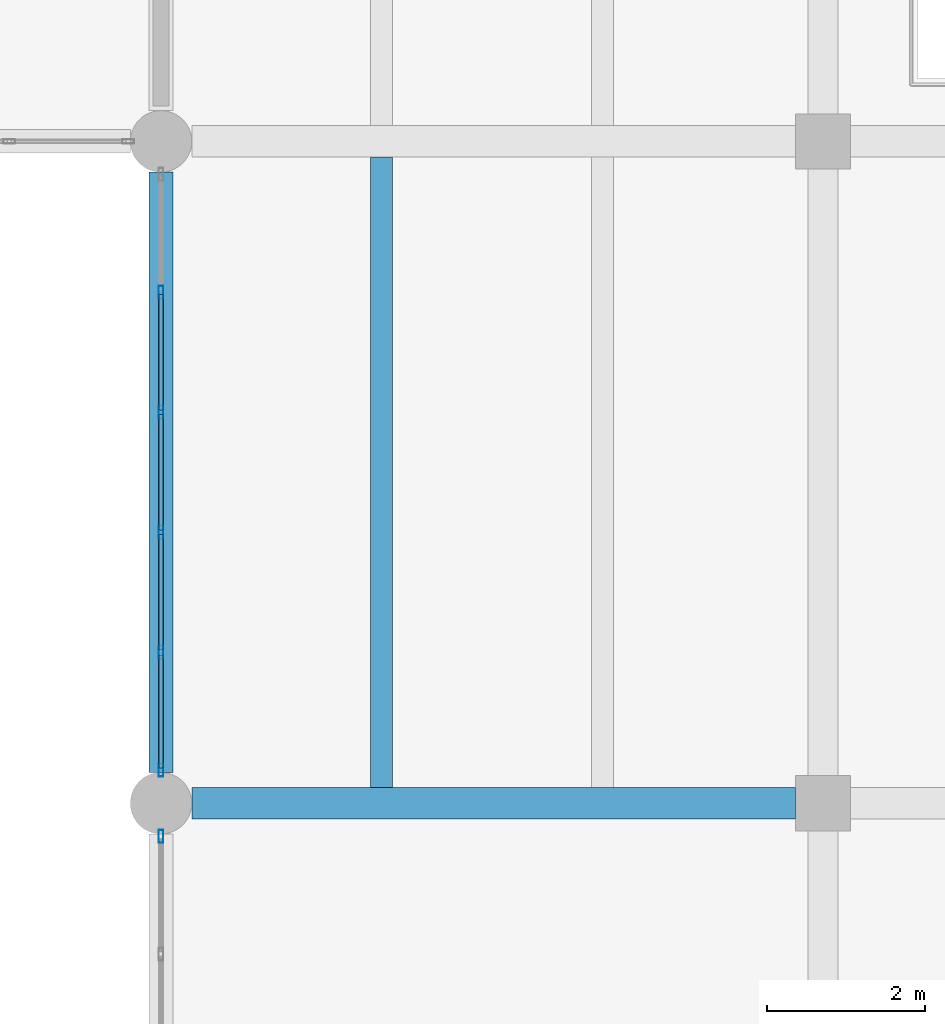
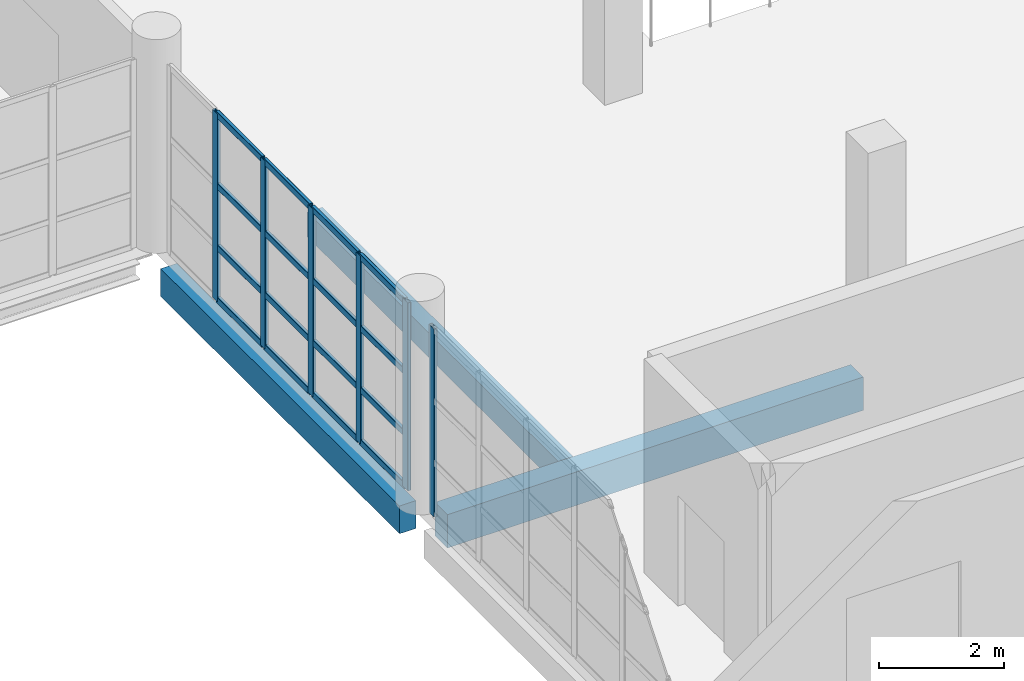
# One storey, part 66 of 177: 22 members, 3 beams, 2 elements without a shape of their own.
"""IFC4 building model written with IfcOpenShell, lengths in metres."""

from ifc_helpers import new_model, si_unit, direction, frame, origin, origin_2d, place, context, subcontext, project, spatial, rectangle, hollow_rectangle, extrude, material, layer, layer_set, material_profile, profile_set, type_object, element, aggregate, save


model = new_model("IFC4")

# Units and contexts
model_context = context("Model", 3, precision=1e-05, world=origin(), true_north=direction((0.0, 1.0)))
body_context = subcontext(model_context, "Body", "Model", "MODEL_VIEW")
ifc_project = project(units=[si_unit("LENGTHUNIT", "METRE"), si_unit("AREAUNIT", "SQUARE_METRE"), si_unit("VOLUMEUNIT", "CUBIC_METRE"), si_unit("PLANEANGLEUNIT", "RADIAN"), si_unit("MASSUNIT", "GRAM", prefix="KILO"), si_unit("THERMODYNAMICTEMPERATUREUNIT", "KELVIN"), si_unit("POWERUNIT", "WATT")], contexts=[model_context])

# Site, building, storey
site_placement = place(None, origin())
site = spatial("IfcSite", under=ifc_project, at=site_placement, CompositionType="ELEMENT")
building_placement = place(site_placement, origin())
building = spatial("IfcBuilding", under=site, at=building_placement, Name="Mavoryth Pier Ferry Terminal", CompositionType="ELEMENT")
storey_placement = place(building_placement, frame((0.0, 0.0, 5.43994140625)))
storey = spatial("IfcBuildingStorey", under=building, at=storey_placement, Name="L01", CompositionType="ELEMENT", Elevation=5.43994140625)

# Beams
ifc_material_1 = material(Name="Concrete C35/45", Category="concrete")
ifc_material_profile_1 = material_profile(ifc_material_1, rectangle(XDim=0.39990234375, YDim=0.64990234375, at=origin_2d()), Name="RC 400x650", Category="concrete")
ifc_profile_set_1 = profile_set([ifc_material_profile_1], Name="Concrete C35/45 - RC 400x650")
beam_type_1 = type_object("IfcBeamType", Name="Girder-RC-400x650", PredefinedType="BEAM", material=ifc_profile_set_1)
beam_1_placement = place(storey_placement, frame((50.7900390625, 80.800048828125, -0.60498046875), z_axis=(1.0, 0.0, 0.0), x_axis=(0.0, 1.0, 0.0)))
element("IfcBeam", 1, at=beam_1_placement, inside=storey, type_object=beam_type_1, Name="Beam B01-BG05-0184", PredefinedType="BEAM", context=body_context, shape_type="SweptSolid", body=[
    extrude(rectangle(XDim=0.39990234375, YDim=0.64990234375, at=origin_2d()), origin(), (0.0, 0.0, 1.0), 7.659912109375),
])
ifc_material_profile_2 = material_profile(ifc_material_1, rectangle(XDim=0.280029296875, YDim=0.47998046875, at=origin_2d()), Name="RC 280x480", Category="concrete")
ifc_profile_set_2 = profile_set([ifc_material_profile_2], Name="Concrete C35/45 - RC 280x480")
beam_type_2 = type_object("IfcBeamType", Name="Joist-RC-280x480", PredefinedType="JOIST", material=ifc_profile_set_2)
beam_2_placement = place(storey_placement, frame((53.199951171875, 81.0, -0.52001953125), z_axis=(0.0, 1.0, 0.0), x_axis=(-1.0, 0.0, 0.0)))
element("IfcBeam", 2, at=beam_2_placement, inside=storey, type_object=beam_type_2, Name="Beam B01-BJ02-0227", PredefinedType="JOIST", context=body_context, shape_type="SweptSolid", body=[
    extrude(rectangle(XDim=0.280029296875, YDim=0.47998046875, at=origin_2d()), origin(), (0.0, 0.0, 1.0), 8.0),
])

# Curtain wall, member
ifc_material_2 = material(Name="Anodised Aluminium and Solar-Control Low-E Glass", Category="aluminium")
ifc_layer = layer(ifc_material_2, 0.159912109375, Name="Anodised Aluminium and Solar-Control Low-E Glass", Category="aluminium")
ifc_layer_set = layer_set([ifc_layer], Name="Anodised Aluminium and Solar-Control Low-E Glass - CW-Arrivals-Mod1400")
curtain_wall_type = type_object("IfcCurtainWallType", Name="CW-Arrivals-Mod1400", PredefinedType="USERDEFINED", material=ifc_layer_set)
curtain_wall_1_placement = place(storey_placement, origin())
curtain_wall_1 = element("IfcCurtainWall", 3, at=curtain_wall_1_placement, inside=storey, type_object=curtain_wall_type, Name="Curtain Wall CW-0122-064", ObjectType="UNITISED CURTAIN WALL", PredefinedType="USERDEFINED")
ifc_material_3 = material(Name="Anodised Aluminium EN AW-6063", Category="aluminium")
ifc_material_profile_3 = material_profile(ifc_material_3, hollow_rectangle(XDim=0.06005859375, YDim=0.1650390625, WallThickness=0.00390625, InnerFilletRadius=0.00390625, OuterFilletRadius=0.008056640625, at=origin_2d()), Name="AL-MULL 165x60x4", Category="aluminium")
ifc_profile_set_3 = profile_set([ifc_material_profile_3], Name="Anodised Aluminium EN AW-6063 - AL-MULL 165x60x4")
member_type_1 = type_object("IfcMemberType", Name="Mullion-Alum-165x60", PredefinedType="MULLION", material=ifc_profile_set_3)
member_1_placement = place(storey_placement, frame((50.39990234375, 80.3798828125, 0.0), z_axis=(0.0, 0.0, 1.0), x_axis=(1.0, 0.0, 0.0)))
member_1 = element("IfcMember", 4, at=member_1_placement, type_object=member_type_1, Name="CW04 mullion 1", PredefinedType="MULLION", context=body_context, shape_type="SweptSolid", body=[
    extrude(hollow_rectangle(XDim=0.06005859375, YDim=0.1650390625, WallThickness=0.00390625, InnerFilletRadius=0.00390625, OuterFilletRadius=0.008056640625, at=origin_2d()), origin(), (0.0, 0.0, 1.0), 3.66015625),
])
aggregate(curtain_wall_1, [member_1])

# Curtain wall, members
curtain_wall_2_placement = place(storey_placement, origin())
curtain_wall_2 = element("IfcCurtainWall", 5, at=curtain_wall_2_placement, inside=storey, type_object=curtain_wall_type, Name="Curtain Wall CW-0122-066", ObjectType="UNITISED CURTAIN WALL", PredefinedType="USERDEFINED")
member_2_placement = place(storey_placement, frame((50.39990234375, 87.285888671875, 0.0), z_axis=(0.0, 0.0, 1.0), x_axis=(1.0, 0.0, 0.0)))
member_2 = element("IfcMember", 6, at=member_2_placement, type_object=member_type_1, Name="CW04 mullion 2", PredefinedType="MULLION", context=body_context, shape_type="SweptSolid", body=[
    extrude(hollow_rectangle(XDim=0.06005859375, YDim=0.1650390625, WallThickness=0.00390625, InnerFilletRadius=0.00390625, OuterFilletRadius=0.008056640625, at=origin_2d()), origin(), (0.0, 0.0, 1.0), 3.66015625),
])
member_3_placement = place(storey_placement, frame((50.39990234375, 85.761962890625, 0.0), z_axis=(0.0, 0.0, 1.0), x_axis=(1.0, 0.0, 0.0)))
member_3 = element("IfcMember", 7, at=member_3_placement, type_object=member_type_1, Name="CW04 mullion 3", PredefinedType="MULLION", context=body_context, shape_type="SweptSolid", body=[
    extrude(hollow_rectangle(XDim=0.06005859375, YDim=0.1650390625, WallThickness=0.00390625, InnerFilletRadius=0.00390625, OuterFilletRadius=0.008056640625, at=origin_2d()), origin(), (0.0, 0.0, 1.0), 3.66015625),
])
member_4_placement = place(storey_placement, frame((50.39990234375, 84.238037109375, 0.0), z_axis=(0.0, 0.0, 1.0), x_axis=(1.0, 0.0, 0.0)))
member_4 = element("IfcMember", 8, at=member_4_placement, type_object=member_type_1, Name="CW04 mullion 4", PredefinedType="MULLION", context=body_context, shape_type="SweptSolid", body=[
    extrude(hollow_rectangle(XDim=0.06005859375, YDim=0.1650390625, WallThickness=0.00390625, InnerFilletRadius=0.00390625, OuterFilletRadius=0.008056640625, at=origin_2d()), origin(), (0.0, 0.0, 1.0), 3.66015625),
])
member_5_placement = place(storey_placement, frame((50.39990234375, 82.714111328125, 0.0), z_axis=(0.0, 0.0, 1.0), x_axis=(1.0, 0.0, 0.0)))
member_5 = element("IfcMember", 9, at=member_5_placement, type_object=member_type_1, Name="CW04 mullion 5", PredefinedType="MULLION", context=body_context, shape_type="SweptSolid", body=[
    extrude(hollow_rectangle(XDim=0.06005859375, YDim=0.1650390625, WallThickness=0.00390625, InnerFilletRadius=0.00390625, OuterFilletRadius=0.008056640625, at=origin_2d()), origin(), (0.0, 0.0, 1.0), 3.66015625),
])
member_6_placement = place(storey_placement, frame((50.39990234375, 81.219970703125, 0.0), z_axis=(0.0, 0.0, 1.0), x_axis=(1.0, 0.0, 0.0)))
member_6 = element("IfcMember", 10, at=member_6_placement, type_object=member_type_1, Name="CW04 mullion 6", PredefinedType="MULLION", context=body_context, shape_type="SweptSolid", body=[
    extrude(hollow_rectangle(XDim=0.06005859375, YDim=0.1650390625, WallThickness=0.00390625, InnerFilletRadius=0.00390625, OuterFilletRadius=0.008056640625, at=origin_2d()), origin(), (0.0, 0.0, 1.0), 3.66015625),
])

# Beam
ifc_material_profile_4 = material_profile(ifc_material_1, rectangle(XDim=0.300048828125, YDim=0.5400390625, at=origin_2d()), Name="RC 300x540", Category="concrete")
ifc_profile_set_4 = profile_set([ifc_material_profile_4], Name="Concrete C35/45 - RC 300x540")
beam_type_3 = type_object("IfcBeamType", Name="Spandrel-RC-300x540", PredefinedType="SPANDREL", material=ifc_profile_set_4)
beam_3_placement = place(storey_placement, frame((50.39990234375, 81.18994140625, -0.550048828125), z_axis=(0.0, 1.0, 0.0), x_axis=(-1.0, 0.0, 0.0)))
element("IfcBeam", 11, at=beam_3_placement, inside=storey, type_object=beam_type_3, Name="Beam B01-SP02-0205", PredefinedType="SPANDREL", context=body_context, shape_type="SweptSolid", body=[
    extrude(rectangle(XDim=0.300048828125, YDim=0.5400390625, at=origin_2d()), origin(), (0.0, 0.0, 1.0), 7.6201171875),
])

# Member
ifc_material_profile_5 = material_profile(ifc_material_3, hollow_rectangle(XDim=0.06005859375, YDim=0.125, WallThickness=0.00390625, InnerFilletRadius=0.00390625, OuterFilletRadius=0.008056640625, at=origin_2d()), Name="AL-TRAN 125x60x4", Category="aluminium")
ifc_profile_set_5 = profile_set([ifc_material_profile_5], Name="Anodised Aluminium EN AW-6063 - AL-TRAN 125x60x4")
member_type_2 = type_object("IfcMemberType", Name="Transom-Alum-125x60", PredefinedType="USERDEFINED", material=ifc_profile_set_5)
member_7_placement = place(storey_placement, frame((50.39990234375, 87.256103515625, 0.030029296875), z_axis=(0.0, -1.0, 0.0), x_axis=(1.0, 0.0, 0.0)))
member_7 = element("IfcMember", 12, at=member_7_placement, type_object=member_type_2, Name="CW04 transom 2.1", ObjectType="TRANSOM", PredefinedType="USERDEFINED", context=body_context, shape_type="SweptSolid", body=[
    extrude(hollow_rectangle(XDim=0.06005859375, YDim=0.125, WallThickness=0.00390625, InnerFilletRadius=0.00390625, OuterFilletRadius=0.008056640625, at=origin_2d()), origin(), (0.0, 0.0, 1.0), 1.464111328125),
])

member_8_placement = place(storey_placement, frame((50.39990234375, 87.256103515625, 1.050048828125), z_axis=(0.0, -1.0, 0.0), x_axis=(1.0, 0.0, 0.0)))
member_8 = element("IfcMember", 13, at=member_8_placement, type_object=member_type_2, Name="CW04 transom 2.2", ObjectType="TRANSOM", PredefinedType="USERDEFINED", context=body_context, shape_type="SweptSolid", body=[
    extrude(hollow_rectangle(XDim=0.06005859375, YDim=0.125, WallThickness=0.00390625, InnerFilletRadius=0.00390625, OuterFilletRadius=0.008056640625, at=origin_2d()), origin(), (0.0, 0.0, 1.0), 1.464111328125),
])

member_9_placement = place(storey_placement, frame((50.39990234375, 87.256103515625, 2.25), z_axis=(0.0, -1.0, 0.0), x_axis=(1.0, 0.0, 0.0)))
member_9 = element("IfcMember", 14, at=member_9_placement, type_object=member_type_2, Name="CW04 transom 2.3", ObjectType="TRANSOM", PredefinedType="USERDEFINED", context=body_context, shape_type="SweptSolid", body=[
    extrude(hollow_rectangle(XDim=0.06005859375, YDim=0.125, WallThickness=0.00390625, InnerFilletRadius=0.00390625, OuterFilletRadius=0.008056640625, at=origin_2d()), origin(), (0.0, 0.0, 1.0), 1.464111328125),
])

member_10_placement = place(storey_placement, frame((50.39990234375, 87.256103515625, 3.630126953125), z_axis=(0.0, -1.0, 0.0), x_axis=(1.0, 0.0, 0.0)))
member_10 = element("IfcMember", 15, at=member_10_placement, type_object=member_type_2, Name="CW04 transom 2.4", ObjectType="TRANSOM", PredefinedType="USERDEFINED", context=body_context, shape_type="SweptSolid", body=[
    extrude(hollow_rectangle(XDim=0.06005859375, YDim=0.125, WallThickness=0.00390625, InnerFilletRadius=0.00390625, OuterFilletRadius=0.008056640625, at=origin_2d()), origin(), (0.0, 0.0, 1.0), 1.464111328125),
])

member_11_placement = place(storey_placement, frame((50.39990234375, 85.73193359375, 0.030029296875), z_axis=(0.0, -1.0, 0.0), x_axis=(1.0, 0.0, 0.0)))
member_11 = element("IfcMember", 16, at=member_11_placement, type_object=member_type_2, Name="CW04 transom 3.1", ObjectType="TRANSOM", PredefinedType="USERDEFINED", context=body_context, shape_type="SweptSolid", body=[
    extrude(hollow_rectangle(XDim=0.06005859375, YDim=0.125, WallThickness=0.00390625, InnerFilletRadius=0.00390625, OuterFilletRadius=0.008056640625, at=origin_2d()), origin(), (0.0, 0.0, 1.0), 1.4638671875),
])

member_12_placement = place(storey_placement, frame((50.39990234375, 85.73193359375, 1.050048828125), z_axis=(0.0, -1.0, 0.0), x_axis=(1.0, 0.0, 0.0)))
member_12 = element("IfcMember", 17, at=member_12_placement, type_object=member_type_2, Name="CW04 transom 3.2", ObjectType="TRANSOM", PredefinedType="USERDEFINED", context=body_context, shape_type="SweptSolid", body=[
    extrude(hollow_rectangle(XDim=0.06005859375, YDim=0.125, WallThickness=0.00390625, InnerFilletRadius=0.00390625, OuterFilletRadius=0.008056640625, at=origin_2d()), origin(), (0.0, 0.0, 1.0), 1.4638671875),
])

member_13_placement = place(storey_placement, frame((50.39990234375, 85.73193359375, 2.25), z_axis=(0.0, -1.0, 0.0), x_axis=(1.0, 0.0, 0.0)))
member_13 = element("IfcMember", 18, at=member_13_placement, type_object=member_type_2, Name="CW04 transom 3.3", ObjectType="TRANSOM", PredefinedType="USERDEFINED", context=body_context, shape_type="SweptSolid", body=[
    extrude(hollow_rectangle(XDim=0.06005859375, YDim=0.125, WallThickness=0.00390625, InnerFilletRadius=0.00390625, OuterFilletRadius=0.008056640625, at=origin_2d()), origin(), (0.0, 0.0, 1.0), 1.4638671875),
])

member_14_placement = place(storey_placement, frame((50.39990234375, 85.73193359375, 3.630126953125), z_axis=(0.0, -1.0, 0.0), x_axis=(1.0, 0.0, 0.0)))
member_14 = element("IfcMember", 19, at=member_14_placement, type_object=member_type_2, Name="CW04 transom 3.4", ObjectType="TRANSOM", PredefinedType="USERDEFINED", context=body_context, shape_type="SweptSolid", body=[
    extrude(hollow_rectangle(XDim=0.06005859375, YDim=0.125, WallThickness=0.00390625, InnerFilletRadius=0.00390625, OuterFilletRadius=0.008056640625, at=origin_2d()), origin(), (0.0, 0.0, 1.0), 1.4638671875),
])

member_15_placement = place(storey_placement, frame((50.39990234375, 84.2080078125, 0.030029296875), z_axis=(0.0, -1.0, 0.0), x_axis=(1.0, 0.0, 0.0)))
member_15 = element("IfcMember", 20, at=member_15_placement, type_object=member_type_2, Name="CW04 transom 4.1", ObjectType="TRANSOM", PredefinedType="USERDEFINED", context=body_context, shape_type="SweptSolid", body=[
    extrude(hollow_rectangle(XDim=0.06005859375, YDim=0.125, WallThickness=0.00390625, InnerFilletRadius=0.00390625, OuterFilletRadius=0.008056640625, at=origin_2d()), origin(), (0.0, 0.0, 1.0), 1.464111328125),
])

member_16_placement = place(storey_placement, frame((50.39990234375, 84.2080078125, 1.050048828125), z_axis=(0.0, -1.0, 0.0), x_axis=(1.0, 0.0, 0.0)))
member_16 = element("IfcMember", 21, at=member_16_placement, type_object=member_type_2, Name="CW04 transom 4.2", ObjectType="TRANSOM", PredefinedType="USERDEFINED", context=body_context, shape_type="SweptSolid", body=[
    extrude(hollow_rectangle(XDim=0.06005859375, YDim=0.125, WallThickness=0.00390625, InnerFilletRadius=0.00390625, OuterFilletRadius=0.008056640625, at=origin_2d()), origin(), (0.0, 0.0, 1.0), 1.464111328125),
])

member_17_placement = place(storey_placement, frame((50.39990234375, 84.2080078125, 2.25), z_axis=(0.0, -1.0, 0.0), x_axis=(1.0, 0.0, 0.0)))
member_17 = element("IfcMember", 22, at=member_17_placement, type_object=member_type_2, Name="CW04 transom 4.3", ObjectType="TRANSOM", PredefinedType="USERDEFINED", context=body_context, shape_type="SweptSolid", body=[
    extrude(hollow_rectangle(XDim=0.06005859375, YDim=0.125, WallThickness=0.00390625, InnerFilletRadius=0.00390625, OuterFilletRadius=0.008056640625, at=origin_2d()), origin(), (0.0, 0.0, 1.0), 1.464111328125),
])

member_18_placement = place(storey_placement, frame((50.39990234375, 84.2080078125, 3.630126953125), z_axis=(0.0, -1.0, 0.0), x_axis=(1.0, 0.0, 0.0)))
member_18 = element("IfcMember", 23, at=member_18_placement, type_object=member_type_2, Name="CW04 transom 4.4", ObjectType="TRANSOM", PredefinedType="USERDEFINED", context=body_context, shape_type="SweptSolid", body=[
    extrude(hollow_rectangle(XDim=0.06005859375, YDim=0.125, WallThickness=0.00390625, InnerFilletRadius=0.00390625, OuterFilletRadius=0.008056640625, at=origin_2d()), origin(), (0.0, 0.0, 1.0), 1.464111328125),
])

member_19_placement = place(storey_placement, frame((50.39990234375, 82.68408203125, 0.030029296875), z_axis=(0.0, -1.0, 0.0), x_axis=(1.0, 0.0, 0.0)))
member_19 = element("IfcMember", 24, at=member_19_placement, type_object=member_type_2, Name="CW04 transom 5.1", ObjectType="TRANSOM", PredefinedType="USERDEFINED", context=body_context, shape_type="SweptSolid", body=[
    extrude(hollow_rectangle(XDim=0.06005859375, YDim=0.125, WallThickness=0.00390625, InnerFilletRadius=0.00390625, OuterFilletRadius=0.008056640625, at=origin_2d()), origin(), (0.0, 0.0, 1.0), 1.43408203125),
])

member_20_placement = place(storey_placement, frame((50.39990234375, 82.68408203125, 1.050048828125), z_axis=(0.0, -1.0, 0.0), x_axis=(1.0, 0.0, 0.0)))
member_20 = element("IfcMember", 25, at=member_20_placement, type_object=member_type_2, Name="CW04 transom 5.2", ObjectType="TRANSOM", PredefinedType="USERDEFINED", context=body_context, shape_type="SweptSolid", body=[
    extrude(hollow_rectangle(XDim=0.06005859375, YDim=0.125, WallThickness=0.00390625, InnerFilletRadius=0.00390625, OuterFilletRadius=0.008056640625, at=origin_2d()), origin(), (0.0, 0.0, 1.0), 1.43408203125),
])

member_21_placement = place(storey_placement, frame((50.39990234375, 82.68408203125, 2.25), z_axis=(0.0, -1.0, 0.0), x_axis=(1.0, 0.0, 0.0)))
member_21 = element("IfcMember", 26, at=member_21_placement, type_object=member_type_2, Name="CW04 transom 5.3", ObjectType="TRANSOM", PredefinedType="USERDEFINED", context=body_context, shape_type="SweptSolid", body=[
    extrude(hollow_rectangle(XDim=0.06005859375, YDim=0.125, WallThickness=0.00390625, InnerFilletRadius=0.00390625, OuterFilletRadius=0.008056640625, at=origin_2d()), origin(), (0.0, 0.0, 1.0), 1.43408203125),
])

member_22_placement = place(storey_placement, frame((50.39990234375, 82.68408203125, 3.630126953125), z_axis=(0.0, -1.0, 0.0), x_axis=(1.0, 0.0, 0.0)))
member_22 = element("IfcMember", 27, at=member_22_placement, type_object=member_type_2, Name="CW04 transom 5.4", ObjectType="TRANSOM", PredefinedType="USERDEFINED", context=body_context, shape_type="SweptSolid", body=[
    extrude(hollow_rectangle(XDim=0.06005859375, YDim=0.125, WallThickness=0.00390625, InnerFilletRadius=0.00390625, OuterFilletRadius=0.008056640625, at=origin_2d()), origin(), (0.0, 0.0, 1.0), 1.43408203125),
])

aggregate(curtain_wall_2, [member_2, member_3, member_4, member_5, member_6, member_7, member_8, member_9, member_10, member_11, member_12, member_13, member_14, member_15, member_16, member_17, member_18, member_19, member_20, member_21, member_22])

save(model, "model.ifc")
